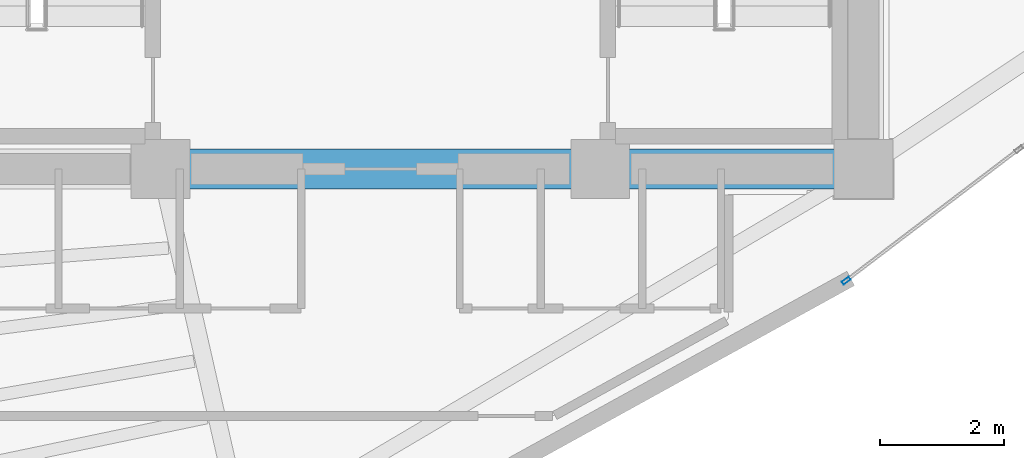
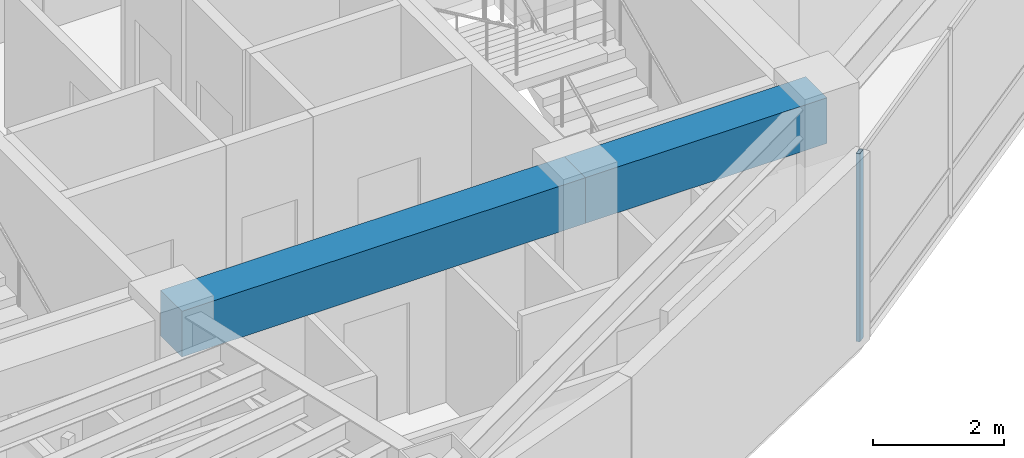
# One storey, part 4 of 15: 2 beams, 1 member, 1 element without a shape of its own.
"""IFC4 building model written with IfcOpenShell, lengths in metres."""

from ifc_helpers import new_model, si_unit, direction, frame, origin, origin_2d, place, context, subcontext, project, spatial, rectangle, hollow_rectangle, extrude, material, layer, layer_set, material_profile, profile_set, type_object, element, aggregate, save


model = new_model("IFC4")

# Units and contexts
model_context = context("Model", 3, precision=1e-05, world=origin(), true_north=direction((0.0, 1.0)))
body_context = subcontext(model_context, "Body", "Model", "MODEL_VIEW")
ifc_project = project(units=[si_unit("LENGTHUNIT", "METRE"), si_unit("AREAUNIT", "SQUARE_METRE"), si_unit("VOLUMEUNIT", "CUBIC_METRE"), si_unit("PLANEANGLEUNIT", "RADIAN"), si_unit("MASSUNIT", "GRAM", prefix="KILO")], contexts=[model_context])

# Site, building, storey
site_placement = place(None, origin())
site = spatial("IfcSite", under=ifc_project, at=site_placement, CompositionType="ELEMENT")
building_placement = place(site_placement, origin())
building = spatial("IfcBuilding", under=site, at=building_placement, Name="Menara Vayukalpa", CompositionType="ELEMENT")
storey_placement = place(building_placement, frame((0.0, 0.0, 176.639892578125)))
storey = spatial("IfcBuildingStorey", under=building, at=storey_placement, Name="L44", CompositionType="ELEMENT", Elevation=176.639892578125)

# Beams
ifc_material_1 = material(Name="Concrete C60/75", Category="concrete")
ifc_material_profile_1 = material_profile(ifc_material_1, rectangle(XDim=0.64990234375, YDim=0.85009765625, at=origin_2d()), Name="RC 650x850")
ifc_profile_set_1 = profile_set([ifc_material_profile_1], Name="Concrete C60/75")
beam_type = type_object("IfcBeamType", Name="BM-CB1", PredefinedType="BEAM", material=ifc_profile_set_1)
beam_1_placement = place(storey_placement, frame((22.050048828125, 17.199951171875, 3.0751953125), z_axis=(1.0, 0.0, 0.0), x_axis=(0.0, 1.0, 0.0)))
element("IfcBeam", 1, at=beam_1_placement, inside=storey, type_object=beam_type, Name="L44 Core Tie Beam CBR2", PredefinedType="BEAM", context=body_context, shape_type="SweptSolid", body=[
    extrude(rectangle(XDim=0.64990234375, YDim=0.85009765625, at=origin_2d()), origin(), (0.0, 0.0, 1.0), 7.099853515625),
])
beam_2_placement = place(storey_placement, frame((29.14990234375, 17.199951171875, 3.0751953125), z_axis=(1.0, 0.0, 0.0), x_axis=(0.0, 1.0, 0.0)))
element("IfcBeam", 2, at=beam_2_placement, inside=storey, type_object=beam_type, Name="L44 Core Tie Beam CBR3", PredefinedType="BEAM", context=body_context, shape_type="SweptSolid", body=[
    extrude(rectangle(XDim=0.64990234375, YDim=0.85009765625, at=origin_2d()), origin(), (0.0, 0.0, 1.0), 4.25),
])

# Curtain wall, member
ifc_material_2 = material(Name="Anodised Terracotta Aluminium Alloy 6063-T6", Category="masonry")
ifc_layer = layer(ifc_material_2, 0.139892578125)
ifc_layer_set = layer_set([ifc_layer], Name="Anodised Terracotta Aluminium Alloy 6063-T6")
curtain_wall_type = type_object("IfcCurtainWallType", Name="CW-CW5", PredefinedType="USERDEFINED", material=ifc_layer_set)
curtain_wall_placement = place(storey_placement, origin())
curtain_wall = element("IfcCurtainWall", 3, at=curtain_wall_placement, inside=storey, type_object=curtain_wall_type, Name="L44 High Rise Tapered Curtain Wall CW5 19", ObjectType="UNITISED", PredefinedType="USERDEFINED")
ifc_material_3 = material(Name="Anodised Terracotta Aluminium Alloy 6063-T6", Category="masonry")
ifc_material_profile_2 = material_profile(ifc_material_3, hollow_rectangle(XDim=0.06005859375, YDim=0.139892578125, WallThickness=0.00341796875, at=origin_2d()), Name="ALU 60x140x3.5")
ifc_profile_set_2 = profile_set([ifc_material_profile_2], Name="Anodised Terracotta Aluminium Alloy 6063-T6")
member_type = type_object("IfcMemberType", Name="CWM-CW5", PredefinedType="MULLION", material=ifc_profile_set_2)
member_placement = place(storey_placement, frame((33.1220703125, 15.396728515625, 0.0), z_axis=(0.0, 0.0, 1.0), x_axis=(-0.60554034445, 0.795814608589, 0.0)))
member = element("IfcMember", 4, at=member_placement, type_object=member_type, Name="CW5 mullion 1", PredefinedType="MULLION", context=body_context, shape_type="SweptSolid", body=[
    extrude(hollow_rectangle(XDim=0.06005859375, YDim=0.139892578125, WallThickness=0.00341796875, at=origin_2d()), origin(), (0.0, 0.0, 1.0), 3.5),
])
aggregate(curtain_wall, [member])

save(model, "model.ifc")
